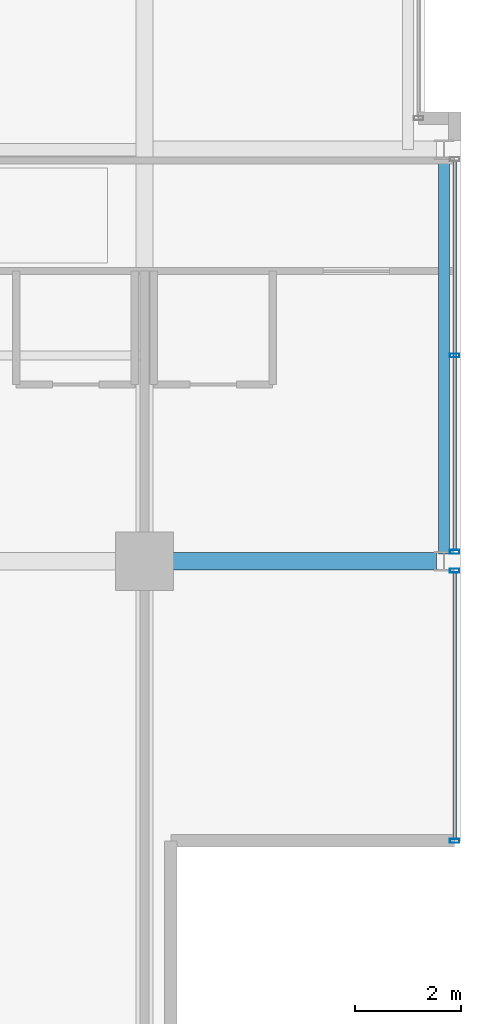
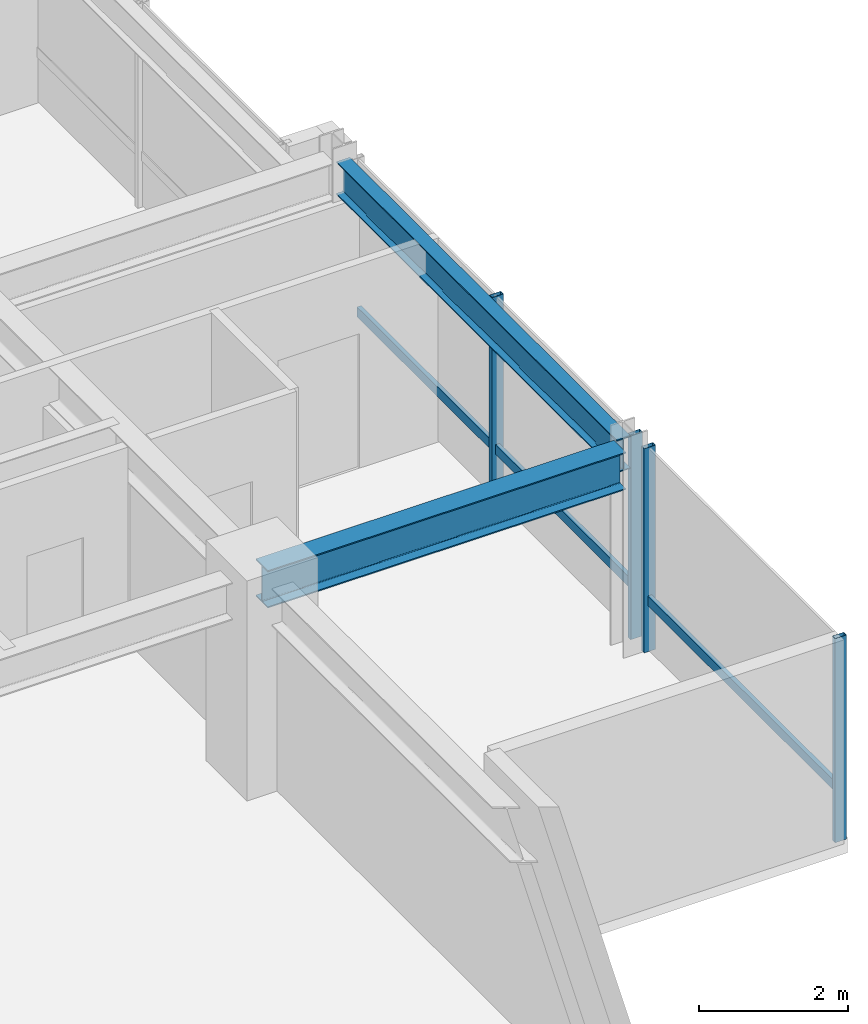
# One storey, part 13 of 31: 6 members, 2 beams, 2 elements without a shape of their own.
"""IFC4 building model written with IfcOpenShell, lengths in metres."""

from ifc_helpers import new_model, si_unit, direction, frame, origin, origin_2d, place, context, subcontext, project, spatial, hollow_rectangle, i_section, extrude, material, layer, layer_set, material_profile, profile_set, type_object, element, aggregate, save


model = new_model("IFC4")

# Units and contexts
model_context = context("Model", 3, precision=1e-05, world=origin(), true_north=direction((0.0, 1.0)))
body_context = subcontext(model_context, "Body", "Model", "MODEL_VIEW")
ifc_project = project(units=[si_unit("LENGTHUNIT", "METRE"), si_unit("AREAUNIT", "SQUARE_METRE"), si_unit("VOLUMEUNIT", "CUBIC_METRE"), si_unit("PLANEANGLEUNIT", "RADIAN"), si_unit("MASSUNIT", "GRAM", prefix="KILO")], contexts=[model_context])

# Site, building, storey
site_placement = place(None, origin())
site = spatial("IfcSite", under=ifc_project, at=site_placement, CompositionType="ELEMENT")
building_placement = place(site_placement, origin())
building = spatial("IfcBuilding", under=site, at=building_placement, Name="Drelvath Grand Hotel", CompositionType="ELEMENT")
storey_placement = place(building_placement, frame((0.0, 0.0, 244.699951171875)))
storey = spatial("IfcBuildingStorey", under=building, at=storey_placement, Name="L64", CompositionType="ELEMENT", Elevation=244.699951171875)

# Curtain wall, member
ifc_material_1 = material(Name="Platinum-Mist Anodised Aluminium Frame", Category="aluminium")
ifc_layer = layer(ifc_material_1, 0.199951171875)
ifc_layer_set = layer_set([ifc_layer], Name="Platinum-Mist Anodised Aluminium Frame")
curtain_wall_type = type_object("IfcCurtainWallType", Name="Stick Curtain Wall CW-05 Platinum Mist High-Rise", PredefinedType="NOTDEFINED", material=ifc_layer_set)
curtain_wall_1_placement = place(storey_placement, origin())
curtain_wall_1 = element("IfcCurtainWall", 1, at=curtain_wall_1_placement, inside=storey, type_object=curtain_wall_type, Name="L64 CW-05 Curtain Wall CW05-L64-ES1", PredefinedType="NOTDEFINED")
ifc_material_profile_1 = material_profile(ifc_material_1, hollow_rectangle(XDim=0.06494140625, YDim=0.159912109375, WallThickness=0.00390625, at=origin_2d()), Name="HSS160X65X4")
ifc_profile_set_1 = profile_set([ifc_material_profile_1], Name="Platinum-Mist Anodised Aluminium Frame")
member_type_1 = type_object("IfcMemberType", Name="Curtain Wall Horizontal Transom CW-05 HSS160X65X4", PredefinedType="USERDEFINED", material=ifc_profile_set_1)
member_1_placement = place(storey_placement, frame((22.080078125, 10.581787109375, 0.8349609375), z_axis=(0.0, -1.0, 0.0), x_axis=(1.0, 0.0, 0.0)))
member_1 = element("IfcMember", 2, at=member_1_placement, type_object=member_type_1, Name="CW05-L64-ES1 Sill Transom", ObjectType="TRANSOM", PredefinedType="USERDEFINED", context=body_context, shape_type="SweptSolid", body=[
    extrude(hollow_rectangle(XDim=0.06494140625, YDim=0.159912109375, WallThickness=0.00390625, at=origin_2d()), origin(), (0.0, 0.0, 1.0), 5.041748046875),
])

curtain_wall_2_placement = place(storey_placement, origin())
curtain_wall_2 = element("IfcCurtainWall", 3, at=curtain_wall_2_placement, inside=storey, type_object=curtain_wall_type, Name="L64 CW-05 Curtain Wall CW05-L64-ES2", PredefinedType="NOTDEFINED")
member_2_placement = place(storey_placement, frame((22.080078125, 18.3818359375, 0.8349609375), z_axis=(0.0, -1.0, 0.0), x_axis=(1.0, 0.0, 0.0)))
member_2 = element("IfcMember", 4, at=member_2_placement, type_object=member_type_1, Name="CW05-L64-ES2 Sill Transom", ObjectType="TRANSOM", PredefinedType="USERDEFINED", context=body_context, shape_type="SweptSolid", body=[
    extrude(hollow_rectangle(XDim=0.06494140625, YDim=0.159912109375, WallThickness=0.00390625, at=origin_2d()), origin(), (0.0, 0.0, 1.0), 7.363525390625),
])

# Member
ifc_material_profile_2 = material_profile(ifc_material_1, hollow_rectangle(XDim=0.074951171875, YDim=0.179931640625, WallThickness=0.0048828125, at=origin_2d()), Name="HSS180X75X5")
ifc_profile_set_2 = profile_set([ifc_material_profile_2], Name="Platinum-Mist Anodised Aluminium Frame")
member_type_2 = type_object("IfcMemberType", Name="Curtain Wall Vertical Mullion CW-05 HSS180X75X5", PredefinedType="MULLION", material=ifc_profile_set_2)
member_3_placement = place(storey_placement, frame((22.080078125, 10.621826171875, 0.0), z_axis=(0.0, 0.0, 1.0), x_axis=(0.0, 1.0, 0.0)))
member_3 = element("IfcMember", 5, at=member_3_placement, type_object=member_type_2, Name="CW05-L64-ES1 Mullion 1", PredefinedType="MULLION", context=body_context, shape_type="SweptSolid", body=[
    extrude(hollow_rectangle(XDim=0.074951171875, YDim=0.179931640625, WallThickness=0.0048828125, at=origin_2d()), origin(), (0.0, 0.0, 1.0), 3.340087890625),
])

member_4_placement = place(storey_placement, frame((22.080078125, 5.5, 0.0), z_axis=(0.0, 0.0, 1.0), x_axis=(0.0, 1.0, 0.0)))
member_4 = element("IfcMember", 6, at=member_4_placement, type_object=member_type_2, Name="CW05-L64-ES1 Mullion 2", PredefinedType="MULLION", context=body_context, shape_type="SweptSolid", body=[
    extrude(hollow_rectangle(XDim=0.074951171875, YDim=0.179931640625, WallThickness=0.0048828125, at=origin_2d()), origin(), (0.0, 0.0, 1.0), 3.340087890625),
])

aggregate(curtain_wall_1, [member_3, member_4, member_1])

member_5_placement = place(storey_placement, frame((22.080078125, 14.699951171875, 0.0), z_axis=(0.0, 0.0, 1.0), x_axis=(0.0, 1.0, 0.0)))
member_5 = element("IfcMember", 7, at=member_5_placement, type_object=member_type_2, Name="CW05-L64-ES2 Mullion 2", PredefinedType="MULLION", context=body_context, shape_type="SweptSolid", body=[
    extrude(hollow_rectangle(XDim=0.074951171875, YDim=0.179931640625, WallThickness=0.0048828125, at=origin_2d()), origin(), (0.0, 0.0, 1.0), 3.340087890625),
])

member_6_placement = place(storey_placement, frame((22.080078125, 10.978271484375, 0.0), z_axis=(0.0, 0.0, 1.0), x_axis=(0.0, 1.0, 0.0)))
member_6 = element("IfcMember", 8, at=member_6_placement, type_object=member_type_2, Name="CW05-L64-ES2 Mullion 3", PredefinedType="MULLION", context=body_context, shape_type="SweptSolid", body=[
    extrude(hollow_rectangle(XDim=0.074951171875, YDim=0.179931640625, WallThickness=0.0048828125, at=origin_2d()), origin(), (0.0, 0.0, 1.0), 3.340087890625),
])

aggregate(curtain_wall_2, [member_5, member_6, member_2])

# Beams
ifc_material_2 = material(Name="Steel ASTM A992 Gr 50", Category="steel")
ifc_material_profile_3 = material_profile(ifc_material_2, i_section(OverallWidth=0.210205078125, OverallDepth=0.53662109375, WebThickness=0.010986328125, FlangeThickness=0.017333984375, FilletRadius=0.01806640625, at=origin_2d()), Name="W21X68")
ifc_profile_set_3 = profile_set([ifc_material_profile_3], Name="Steel ASTM A992 Gr 50")
beam_type_1 = type_object("IfcBeamType", Name="Perimeter Spandrel Beam W21X68", PredefinedType="SPANDREL", material=ifc_profile_set_3)
beam_1_placement = place(storey_placement, frame((21.8798828125, 10.93994140625, 3.071533203125), z_axis=(0.0, 1.0, 0.0), x_axis=(-1.0, 0.0, 0.0)))
element("IfcBeam", 9, at=beam_1_placement, inside=storey, type_object=beam_type_1, Name="L64 Spandrel East S", PredefinedType="SPANDREL", context=body_context, shape_type="SweptSolid", body=[
    extrude(i_section(OverallWidth=0.210205078125, OverallDepth=0.53662109375, WebThickness=0.010986328125, FlangeThickness=0.017333984375, FilletRadius=0.01806640625, at=origin_2d()), origin(), (0.0, 0.0, 1.0), 7.52001953125),
])
ifc_material_profile_4 = material_profile(ifc_material_2, i_section(OverallWidth=0.323974609375, OverallDepth=0.611083984375, WebThickness=0.0126953125, FlangeThickness=0.01904296875, FilletRadius=0.02197265625, at=origin_2d()), Name="W24X104")
ifc_profile_set_4 = profile_set([ifc_material_profile_4], Name="Steel ASTM A992 Gr 50")
beam_type_2 = type_object("IfcBeamType", Name="Primary Floor Girder W24X104", PredefinedType="BEAM", material=ifc_profile_set_4)
beam_2_placement = place(storey_placement, frame((16.199951171875, 10.800048828125, 3.034423828125), z_axis=(1.0, 0.0, 0.0), x_axis=(0.0, 1.0, 0.0)))
element("IfcBeam", 10, at=beam_2_placement, inside=storey, type_object=beam_type_2, Name="L64 East Grid Girder C", PredefinedType="BEAM", context=body_context, shape_type="SweptSolid", body=[
    extrude(i_section(OverallWidth=0.323974609375, OverallDepth=0.611083984375, WebThickness=0.0126953125, FlangeThickness=0.01904296875, FilletRadius=0.02197265625, at=origin_2d()), origin(), (0.0, 0.0, 1.0), 5.5400390625),
])

save(model, "model.ifc")
